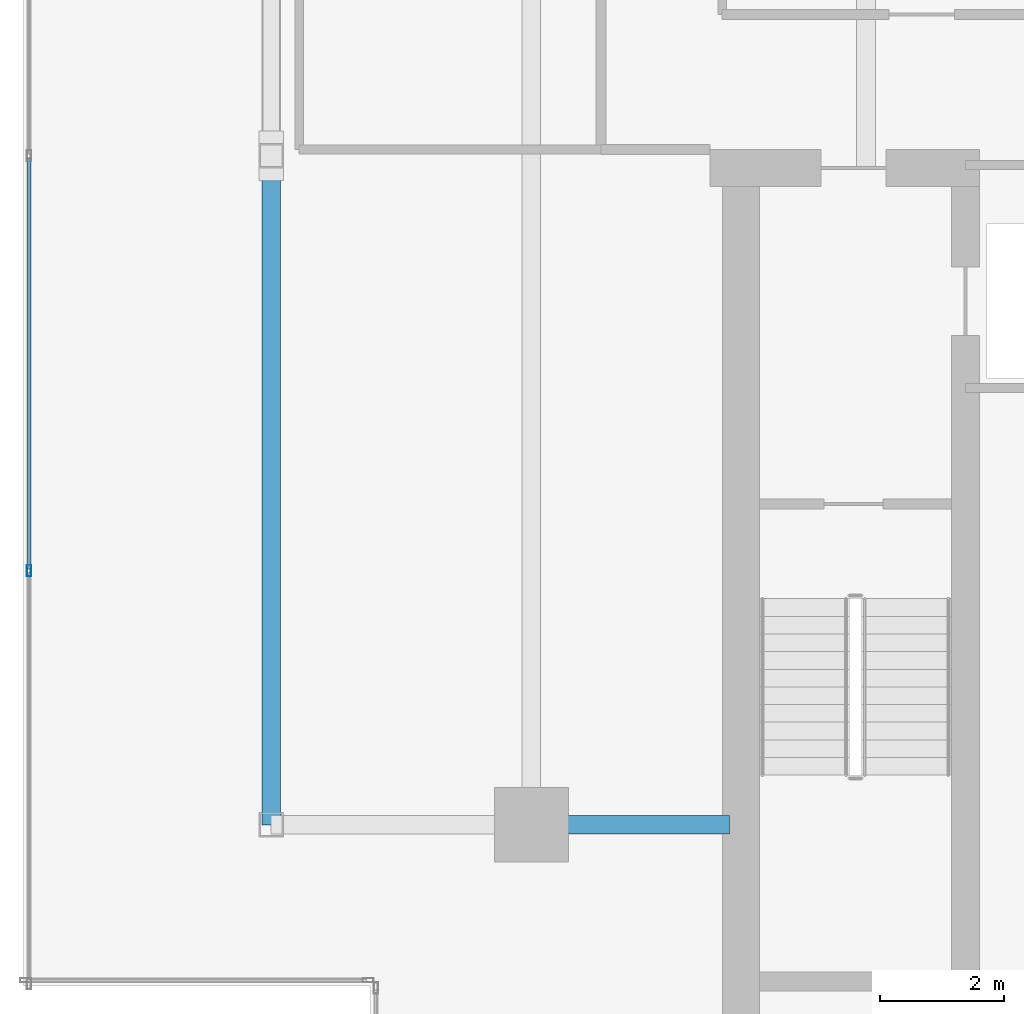
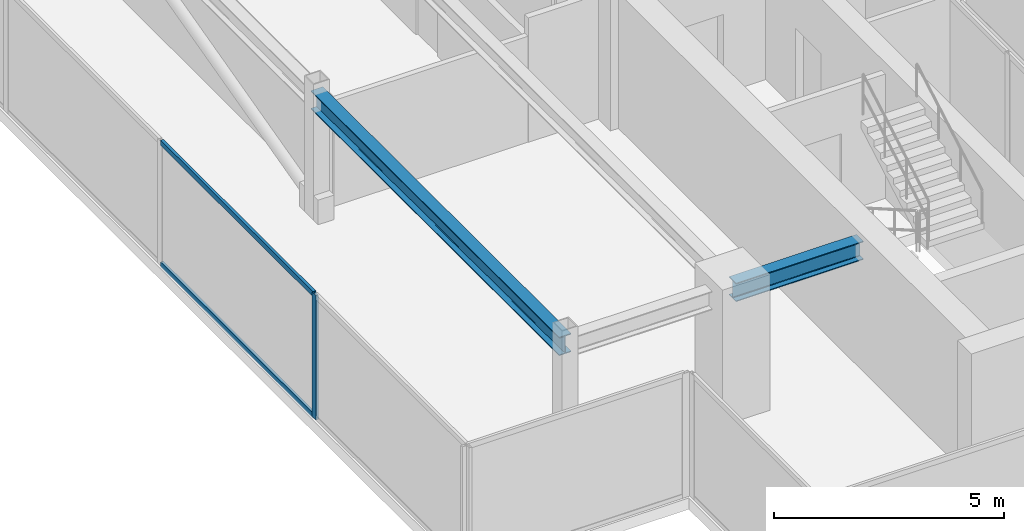
# One storey, part 4 of 16: 3 members, 2 beams, 1 element without a shape of its own.
"""IFC4 building model written with IfcOpenShell, lengths in metres."""

from ifc_helpers import new_model, si_unit, direction, frame, origin, origin_2d, place, context, subcontext, project, spatial, hollow_rectangle, i_section, extrude, source, transform, mapped, material, material_profile, profile_set, type_object, type_shapes, element, aggregate, save


model = new_model("IFC4")

# Units and contexts
model_context = context("Model", 3, precision=1e-05, world=origin(), true_north=direction((0.0, 1.0)))
body_context = subcontext(model_context, "Body", "Model", "MODEL_VIEW")
ifc_project = project(units=[si_unit("LENGTHUNIT", "METRE"), si_unit("AREAUNIT", "SQUARE_METRE"), si_unit("VOLUMEUNIT", "CUBIC_METRE"), si_unit("PLANEANGLEUNIT", "RADIAN"), si_unit("MASSUNIT", "GRAM", prefix="KILO")], contexts=[model_context])

# Site, building, storey
site_placement = place(None, origin())
site = spatial("IfcSite", under=ifc_project, at=site_placement, CompositionType="ELEMENT")
building_placement = place(site_placement, origin())
building = spatial("IfcBuilding", under=site, at=building_placement, Name="Krantzveldt Concourse Tower", CompositionType="ELEMENT")
storey_placement = place(building_placement, frame((0.0, 0.0, 378.25)))
storey = spatial("IfcBuildingStorey", under=building, at=storey_placement, Name="L93", CompositionType="ELEMENT", Elevation=378.25)

# Beams
ifc_material_1 = material(Name="Steel S355JR", Category="steel")
ifc_material_profile_1 = material_profile(ifc_material_1, i_section(OverallWidth=0.300048828125, OverallDepth=0.489990234375, WebThickness=0.011962890625, FlangeThickness=0.02294921875, FilletRadius=0.027099609375, at=origin_2d()), Name="Steel S355JR", Category="steel")
ifc_profile_set_1 = profile_set([ifc_material_profile_1], Name="Steel S355JR - HEA 500")
beam_type = type_object("IfcBeamType", Name="BM-B-HEA500", PredefinedType="BEAM", material=ifc_profile_set_1)
shared_shape_1 = source(origin(), body_context, "Body", "SweptSolid", [
    extrude(i_section(OverallWidth=0.300048828125, OverallDepth=0.489990234375, WebThickness=0.011962890625, FlangeThickness=0.02294921875, FilletRadius=0.027099609375, at=origin_2d()), origin(), (0.0, 0.0, 1.0), 10.800048828125),
])
beam_1_placement = place(storey_placement, frame((21.0, 15.89990234375, 3.054931640625), z_axis=(0.0, 1.0, 0.0), x_axis=(-1.0, 0.0, 0.0)))
element("IfcBeam", 1, at=beam_1_placement, inside=storey, type_object=beam_type, Name="L93 Crown Girder WEST-1", PredefinedType="BEAM", context=body_context, shape_type="MappedRepresentation", body=[
    mapped(shared_shape_1, transform((0.0, 0.0, 0.0), x_axis=(1.0, 0.0, 0.0), y_axis=(0.0, 1.0, 0.0), z_axis=(0.0, 0.0, 1.0), scale=1.0)),
])
shared_shape_2 = source(origin(), body_context, "Body", "SweptSolid", [
    extrude(i_section(OverallWidth=0.300048828125, OverallDepth=0.489990234375, WebThickness=0.011962890625, FlangeThickness=0.02294921875, FilletRadius=0.027099609375, at=origin_2d()), origin(), (0.0, 0.0, 1.0), 3.199951171875),
])
type_shapes(beam_type, [shared_shape_1, shared_shape_2])
beam_2_placement = place(storey_placement, frame((25.199951171875, 15.89990234375, 3.054931640625), z_axis=(1.0, 0.0, 0.0), x_axis=(0.0, 1.0, 0.0)))
element("IfcBeam", 2, at=beam_2_placement, inside=storey, type_object=beam_type, Name="L93 Crown Girder WEST-7", PredefinedType="BEAM", context=body_context, shape_type="MappedRepresentation", body=[
    mapped(shared_shape_2, transform((0.0, 0.0, 0.0), x_axis=(1.0, 0.0, 0.0), y_axis=(0.0, 1.0, 0.0), z_axis=(0.0, 0.0, 1.0), scale=1.0)),
])

# Curtain wall, members
ifc_material_2 = material(Name="Anodised aluminium 6063-T6", Category="aluminium")
curtain_wall_type = type_object("IfcCurtainWallType", Name="CW7", PredefinedType="USERDEFINED", material=ifc_material_2)
curtain_wall_placement = place(storey_placement, origin())
curtain_wall = element("IfcCurtainWall", 3, at=curtain_wall_placement, inside=storey, type_object=curtain_wall_type, Name="CW-L93-WEST-05", ObjectType="UNITISED CURTAIN WALL", PredefinedType="USERDEFINED")
ifc_material_profile_2 = material_profile(ifc_material_2, hollow_rectangle(XDim=0.070068359375, YDim=0.139892578125, WallThickness=0.0048828125, at=origin_2d()), Name="Anodised aluminium 6063-T6", Category="aluminium")
ifc_profile_set_2 = profile_set([ifc_material_profile_2], Name="Anodised aluminium 6063-T6 - ALU-TRAN 140x70x5")
member_type_1 = type_object("IfcMemberType", Name="CW-TRN-150", PredefinedType="USERDEFINED", material=ifc_profile_set_2)
shared_shape_3 = source(origin(), body_context, "Body", "SweptSolid", [
    extrude(hollow_rectangle(XDim=0.070068359375, YDim=0.139892578125, WallThickness=0.0048828125, at=origin_2d()), origin(), (0.0, 0.0, 1.0), 6.630126953125),
])
type_shapes(member_type_1, [shared_shape_3])
member_1_placement = place(storey_placement, frame((17.090087890625, 26.6650390625, 0.034912109375), z_axis=(0.0, -1.0, 0.0), x_axis=(1.0, 0.0, 0.0)))
member_1 = element("IfcMember", 4, at=member_1_placement, type_object=member_type_1, Name="CW-CRN transom 3.1", ObjectType="TRANSOM", PredefinedType="USERDEFINED", context=body_context, shape_type="MappedRepresentation", body=[
    mapped(shared_shape_3, transform((0.0, 0.0, 0.0), x_axis=(1.0, 0.0, 0.0), y_axis=(0.0, 1.0, 0.0), z_axis=(0.0, 0.0, 1.0), scale=1.0)),
])
member_2_placement = place(storey_placement, frame((17.090087890625, 26.6650390625, 3.264892578125), z_axis=(0.0, -1.0, 0.0), x_axis=(1.0, 0.0, 0.0)))
member_2 = element("IfcMember", 5, at=member_2_placement, type_object=member_type_1, Name="CW-CRN transom 3.2", ObjectType="TRANSOM", PredefinedType="USERDEFINED", context=body_context, shape_type="MappedRepresentation", body=[
    mapped(shared_shape_3, transform((0.0, 0.0, 0.0), x_axis=(1.0, 0.0, 0.0), y_axis=(0.0, 1.0, 0.0), z_axis=(0.0, 0.0, 1.0), scale=1.0)),
])
ifc_material_profile_3 = material_profile(ifc_material_2, hollow_rectangle(XDim=0.070068359375, YDim=0.179931640625, WallThickness=0.0048828125, at=origin_2d()), Name="Anodised aluminium 6063-T6", Category="aluminium")
ifc_profile_set_3 = profile_set([ifc_material_profile_3], Name="Anodised aluminium 6063-T6 - ALU-MULL 180x70x5")
member_type_2 = type_object("IfcMemberType", Name="CW-MUL-180", PredefinedType="MULLION", material=ifc_profile_set_3)
shared_shape_4 = source(origin(), body_context, "Body", "SweptSolid", [
    extrude(hollow_rectangle(XDim=0.070068359375, YDim=0.179931640625, WallThickness=0.0048828125, at=origin_2d()), origin(), (0.0, 0.0, 1.0), 3.300048828125),
])
type_shapes(member_type_2, [shared_shape_4])
member_3_placement = place(storey_placement, frame((17.090087890625, 20.0, 0.0), z_axis=(0.0, 0.0, 1.0), x_axis=(1.0, 0.0, 0.0)))
member_3 = element("IfcMember", 6, at=member_3_placement, type_object=member_type_2, Name="CW-CRN mullion 4", PredefinedType="MULLION", context=body_context, shape_type="MappedRepresentation", body=[
    mapped(shared_shape_4, transform((0.0, 0.0, 0.0), x_axis=(1.0, 0.0, 0.0), y_axis=(0.0, 1.0, 0.0), z_axis=(0.0, 0.0, 1.0), scale=1.0)),
])
aggregate(curtain_wall, [member_3, member_1, member_2])

save(model, "model.ifc")
